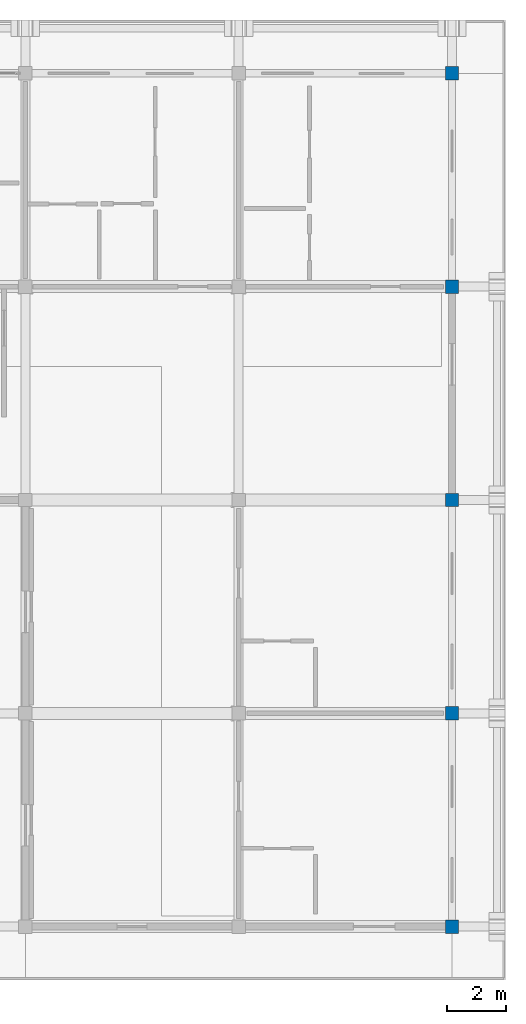
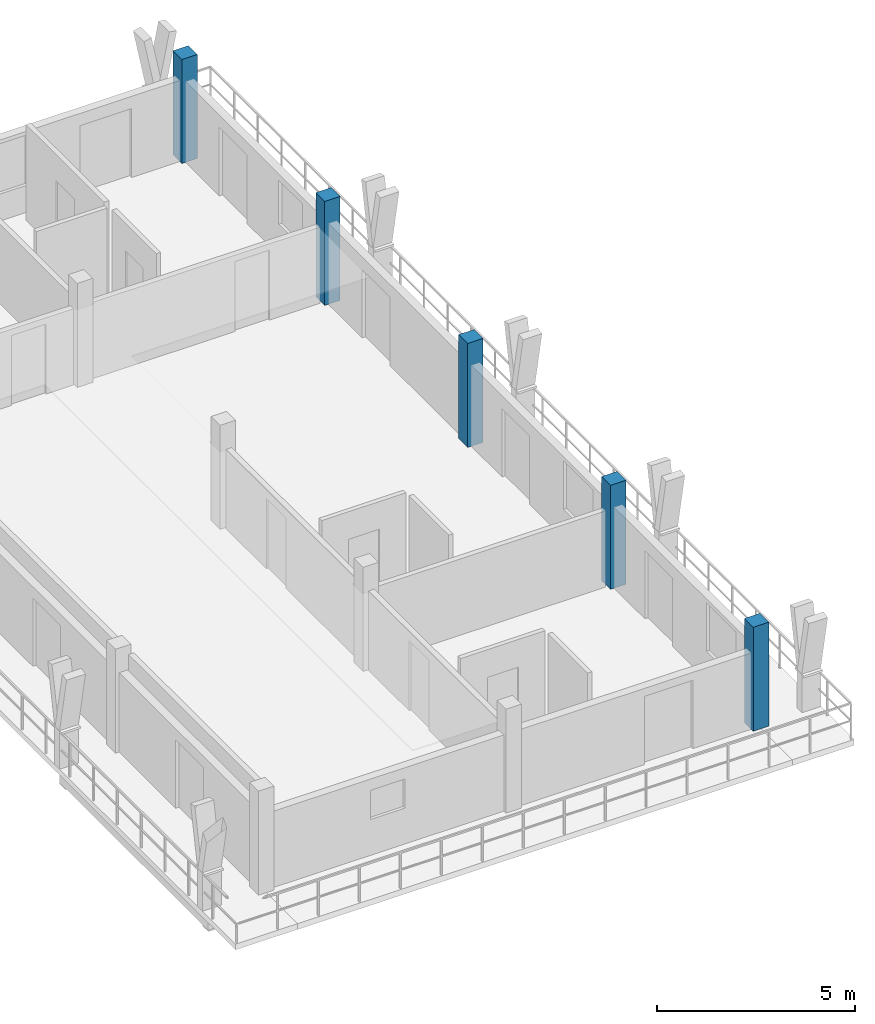
# One storey, part 2 of 32: 5 columns.
"""IFC4 building model written with IfcOpenShell, lengths in metres."""

from ifc_helpers import new_model, si_unit, direction, frame, origin, origin_2d, place, context, subcontext, project, spatial, rectangle, extrude, material, material_profile, profile_set, type_object, element, save


model = new_model("IFC4")

# Units and contexts
model_context = context("Model", 3, precision=1e-05, world=origin(), true_north=direction((0.0, 1.0)))
body_context = subcontext(model_context, "Body", "Model", "MODEL_VIEW")
ifc_project = project(units=[si_unit("LENGTHUNIT", "METRE"), si_unit("AREAUNIT", "SQUARE_METRE"), si_unit("VOLUMEUNIT", "CUBIC_METRE"), si_unit("PLANEANGLEUNIT", "RADIAN"), si_unit("MASSUNIT", "GRAM", prefix="KILO")], contexts=[model_context])

# Site, building, storey
site_placement = place(None, origin())
site = spatial("IfcSite", under=ifc_project, at=site_placement, CompositionType="ELEMENT")
building_placement = place(site_placement, origin())
building = spatial("IfcBuilding", under=site, at=building_placement, Name="Suanplinth Sawtooth Commons", CompositionType="ELEMENT")
storey_placement = place(building_placement, frame((0.0, 0.0, 41.199951171875)))
storey = spatial("IfcBuildingStorey", under=building, at=storey_placement, Name="L12", CompositionType="ELEMENT", Elevation=41.199951171875)

# Columns
ifc_material = material(Name="Precast concrete C40/50", Category="concrete")
ifc_material_profile = material_profile(ifc_material, rectangle(XDim=0.449951171875, YDim=0.449951171875, at=origin_2d()), Name="PC-COL 450x450")
ifc_profile_set = profile_set([ifc_material_profile], Name="Precast concrete C40/50")
column_type = type_object("IfcColumnType", Name="C-07", PredefinedType="COLUMN", material=ifc_profile_set)
for number, where, z_axis, x_axis, name in (
    (1, (187.199951171875, 93.60009765625, 0.0), (0.0, 0.0, 1.0), (1.0, 0.0, 0.0), "Column L12 27/P"),
    (2, (187.199951171875, 100.800048828125, 0.0), (0.0, 0.0, 1.0), (1.0, 0.0, 0.0), "Column L12 27/Q"),
    (3, (187.199951171875, 108.0, 0.0), (0.0, 0.0, 1.0), (1.0, 0.0, 0.0), "Column L12 27/R"),
    (4, (187.199951171875, 115.199951171875, 0.0), (0.0, 0.0, 1.0), (1.0, 0.0, 0.0), "Column L12 27/S"),
    (5, (187.199951171875, 122.39990234375, 0.0), (0.0, 0.0, 1.0), (1.0, 0.0, 0.0), "Column L12 27/T"),
):
    element("IfcColumn", number, at=place(storey_placement, frame(where, z_axis=z_axis, x_axis=x_axis)), inside=storey, type_object=column_type, Name=name, PredefinedType="COLUMN", context=body_context, shape_type="SweptSolid", body=[
        extrude(rectangle(XDim=0.449951171875, YDim=0.449951171875, at=origin_2d()), origin(), (0.0, 0.0, 1.0), 3.199951171875),
    ])

save(model, "model.ifc")
